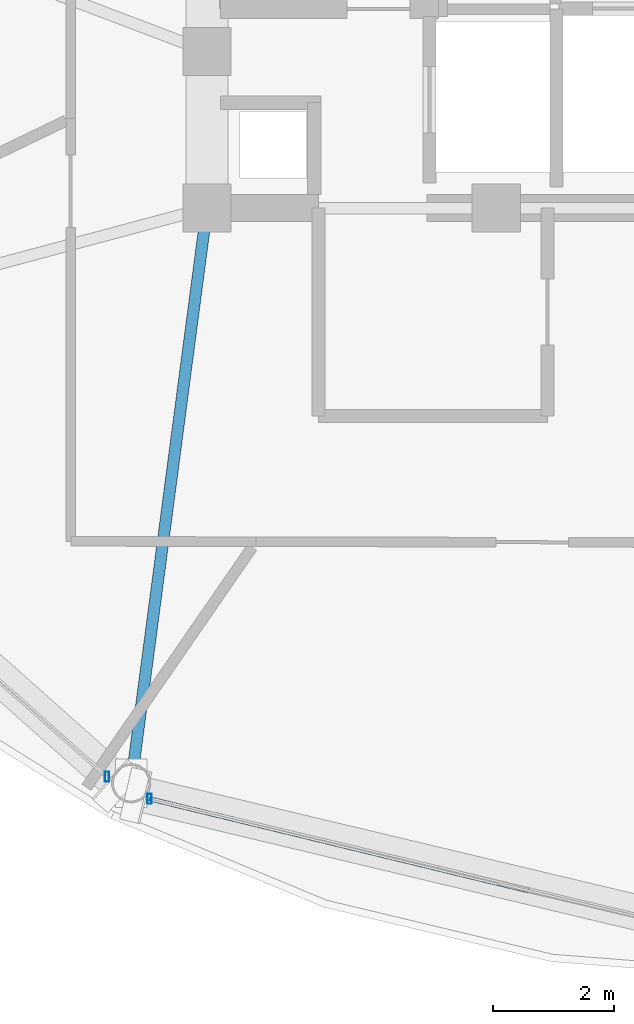
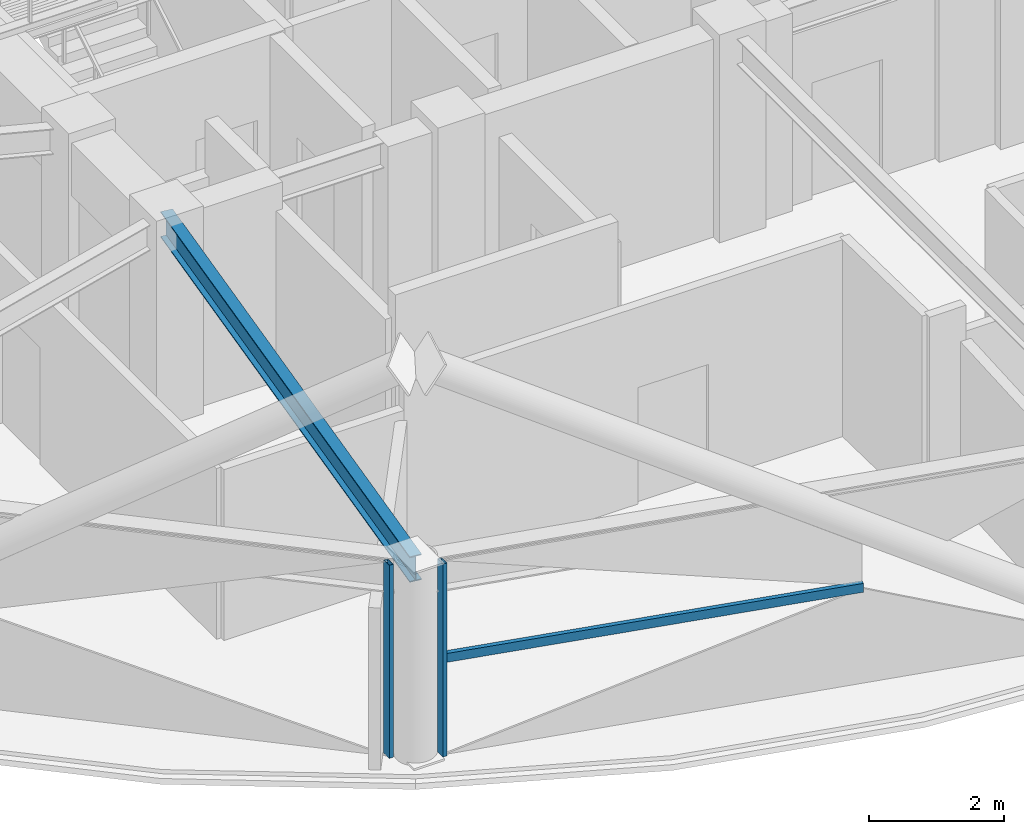
# One storey, part 2 of 29: 3 members, 1 beam, 2 elements without a shape of their own.
"""IFC4 building model written with IfcOpenShell, lengths in metres."""

from ifc_helpers import new_model, si_unit, direction, frame, origin, origin_2d, place, context, subcontext, project, spatial, hollow_rectangle, i_section, extrude, material, layer, layer_set, material_profile, profile_set, type_object, element, aggregate, save


model = new_model("IFC4")

# Units and contexts
model_context = context("Model", 3, precision=1e-05, world=origin(), true_north=direction((0.0, 1.0)))
body_context = subcontext(model_context, "Body", "Model", "MODEL_VIEW")
ifc_project = project(units=[si_unit("LENGTHUNIT", "METRE"), si_unit("AREAUNIT", "SQUARE_METRE"), si_unit("VOLUMEUNIT", "CUBIC_METRE"), si_unit("PLANEANGLEUNIT", "RADIAN"), si_unit("MASSUNIT", "GRAM", prefix="KILO")], contexts=[model_context])

# Site, building, storey
site_placement = place(None, origin())
site = spatial("IfcSite", under=ifc_project, at=site_placement, CompositionType="ELEMENT")
building_placement = place(site_placement, origin())
building = spatial("IfcBuilding", under=site, at=building_placement, Name="Vantalir Tower", CompositionType="ELEMENT")
storey_placement = place(building_placement, frame((0.0, 0.0, 234.89990234375)))
storey = spatial("IfcBuildingStorey", under=building, at=storey_placement, Name="L59", CompositionType="ELEMENT", Elevation=234.89990234375)

# Beam
ifc_material_1 = material(Name="Steel S355", Category="steel")
ifc_material_profile_1 = material_profile(ifc_material_1, i_section(OverallWidth=0.19189453125, OverallDepth=0.462890625, WebThickness=0.010498046875, FlangeThickness=0.017578125, at=origin_2d()), Name="Steel S355")
ifc_profile_set_1 = profile_set([ifc_material_profile_1], Name="Steel S355")
beam_type = type_object("IfcBeamType", Name="BM-RB-457x191", PredefinedType="BEAM", material=ifc_profile_set_1)
beam_placement = place(storey_placement, frame((20.64111328125, 8.257080078125, 3.338134765625), z_axis=(0.130774684438, 0.991412115071, 0.0), x_axis=(-0.991412115071, 0.130774684438, 0.0)))
element("IfcBeam", 1, at=beam_placement, inside=storey, type_object=beam_type, Name="L59 Radial Floor Beam 09", PredefinedType="BEAM", context=body_context, shape_type="SweptSolid", body=[
    extrude(i_section(OverallWidth=0.19189453125, OverallDepth=0.462890625, WebThickness=0.010498046875, FlangeThickness=0.017578125, at=origin_2d()), origin(), (0.0, 0.0, 1.0), 9.625732421875),
])

# Curtain wall, member
ifc_material_2 = material(Name="Champagne-silver PVDF aluminium and double-silver Low-E glass", Category="aluminium")
ifc_layer = layer(ifc_material_2, 0.2099609375)
ifc_layer_set = layer_set([ifc_layer], Name="Champagne-silver PVDF aluminium and double-silver Low-E glass")
curtain_wall_type = type_object("IfcCurtainWallType", Name="CW-DIAMOND-Z3", PredefinedType="USERDEFINED", material=ifc_layer_set)
curtain_wall_1_placement = place(storey_placement, origin())
curtain_wall_1 = element("IfcCurtainWall", 2, at=curtain_wall_1_placement, inside=storey, type_object=curtain_wall_type, Name="L59 Quilted Pyramid-Diamond Curtain Wall S08", ObjectType="UNITISED CURTAIN WALL", PredefinedType="USERDEFINED")
ifc_material_3 = material(Name="Champagne-silver PVDF aluminium 6063-T6", Category="aluminium")
ifc_material_profile_2 = material_profile(ifc_material_3, hollow_rectangle(XDim=0.070068359375, YDim=0.1650390625, WallThickness=0.00390625, at=origin_2d()), Name="Champagne-silver PVDF aluminium 6063-T6")
ifc_profile_set_2 = profile_set([ifc_material_profile_2], Name="Champagne-silver PVDF aluminium 6063-T6")
member_type_1 = type_object("IfcMemberType", Name="CWM-165x70", PredefinedType="MULLION", material=ifc_profile_set_2)
member_1_placement = place(storey_placement, frame((20.239990234375, 8.365966796875, 0.045166015625), z_axis=(0.0, 0.0, 1.0), x_axis=(1.0, 0.0, 0.0)))
member_1 = element("IfcMember", 3, at=member_1_placement, type_object=member_type_1, Name="CW-L59-S08 Mullion 2", PredefinedType="MULLION", context=body_context, shape_type="SweptSolid", body=[
    extrude(hollow_rectangle(XDim=0.070068359375, YDim=0.1650390625, WallThickness=0.00390625, at=origin_2d()), origin(), (0.0, 0.0, 1.0), 3.47998046875),
])
aggregate(curtain_wall_1, [member_1])

# Curtain wall, members
curtain_wall_2_placement = place(storey_placement, origin())
curtain_wall_2 = element("IfcCurtainWall", 4, at=curtain_wall_2_placement, inside=storey, type_object=curtain_wall_type, Name="L59 Quilted Pyramid-Diamond Curtain Wall S09", ObjectType="UNITISED CURTAIN WALL", PredefinedType="USERDEFINED")
member_2_placement = place(storey_placement, frame((20.945068359375, 7.998046875, 0.045166015625), z_axis=(0.0, 0.0, 1.0), x_axis=(1.0, 0.0, 0.0)))
member_2 = element("IfcMember", 5, at=member_2_placement, type_object=member_type_1, Name="CW-L59-S09 Mullion 1", PredefinedType="MULLION", context=body_context, shape_type="SweptSolid", body=[
    extrude(hollow_rectangle(XDim=0.070068359375, YDim=0.1650390625, WallThickness=0.00390625, at=origin_2d()), origin(), (0.0, 0.0, 1.0), 3.47998046875),
])
ifc_material_profile_3 = material_profile(ifc_material_3, hollow_rectangle(XDim=0.074951171875, YDim=0.159912109375, WallThickness=0.00390625, at=origin_2d()), Name="Champagne-silver PVDF aluminium 6063-T6")
ifc_profile_set_3 = profile_set([ifc_material_profile_3], Name="Champagne-silver PVDF aluminium 6063-T6")
member_type_2 = type_object("IfcMemberType", Name="CWT-160x75", PredefinedType="USERDEFINED", material=ifc_profile_set_3)
member_3_placement = place(storey_placement, frame((20.945068359375, 7.998046875, 1.78515625), z_axis=(0.971779150142, -0.235892524998, 0.0), x_axis=(0.235892524998, 0.971779150142, 0.0)))
member_3 = element("IfcMember", 6, at=member_3_placement, type_object=member_type_2, Name="CW-L59-S09 Pyramid Fold Ridge Transom", ObjectType="TRANSOM", PredefinedType="USERDEFINED", context=body_context, shape_type="SweptSolid", body=[
    extrude(hollow_rectangle(XDim=0.074951171875, YDim=0.159912109375, WallThickness=0.00390625, at=origin_2d()), origin(), (0.0, 0.0, 1.0), 6.4736328125),
])
aggregate(curtain_wall_2, [member_2, member_3])

save(model, "model.ifc")
